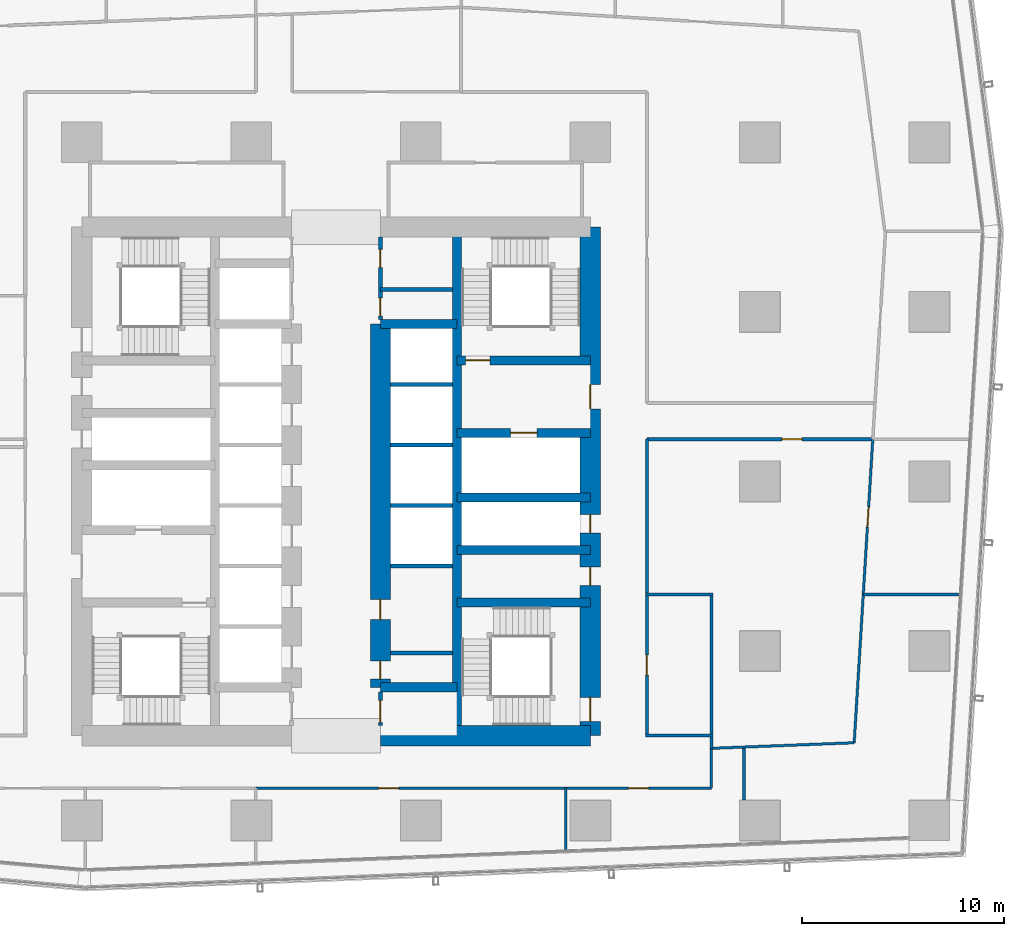
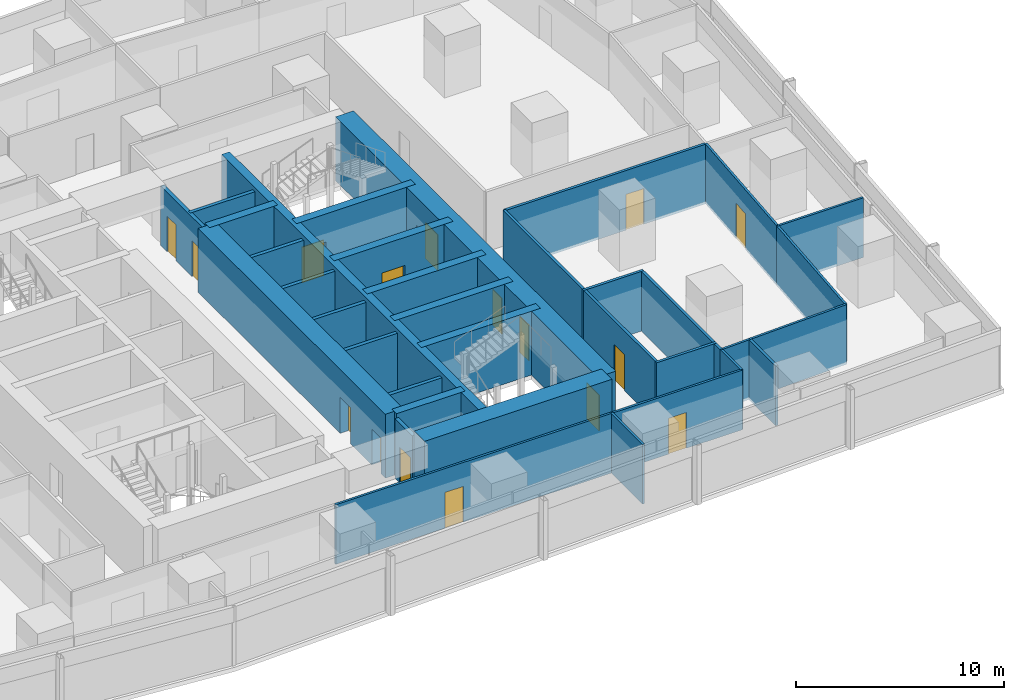
# One storey, part 30 of 39: 36 walls, 16 doors, 16 openings.
"""IFC4 building model written with IfcOpenShell, lengths in metres."""

from ifc_helpers import new_model, si_unit, direction, frame, frame_2d, origin, place, context, subcontext, project, spatial, rectangle, extrude, material, layer, layer_set, type_object, element, fill, save


model = new_model("IFC4")

# Units and contexts
model_context = context("Model", 3, precision=1e-05, world=origin(), true_north=direction((0.0, 1.0)))
body_context = subcontext(model_context, "Body", "Model", "MODEL_VIEW")
ifc_project = project(units=[si_unit("LENGTHUNIT", "METRE"), si_unit("AREAUNIT", "SQUARE_METRE"), si_unit("VOLUMEUNIT", "CUBIC_METRE"), si_unit("PLANEANGLEUNIT", "RADIAN"), si_unit("MASSUNIT", "GRAM", prefix="KILO")], contexts=[model_context])

# Site, building, storey
site_placement = place(None, origin())
site = spatial("IfcSite", under=ifc_project, at=site_placement, CompositionType="ELEMENT")
building_placement = place(site_placement, origin())
building = spatial("IfcBuilding", under=site, at=building_placement, Name="Rekha Terrace Tower", CompositionType="ELEMENT")
storey_placement = place(building_placement, frame((0.0, 0.0, 151.550048828125)))
storey = spatial("IfcBuildingStorey", under=building, at=storey_placement, Name="L38", CompositionType="ELEMENT", Elevation=151.550048828125)

# Walls
ifc_material_1 = material(Name="Concrete M70", Category="concrete")
ifc_layer_1 = layer(ifc_material_1, 0.449951171875)
ifc_layer_set_1 = layer_set([ifc_layer_1], Name="Concrete M70")
wall_type_1 = type_object("IfcWallType", Name="CI2 450 core internal shear wall", PredefinedType="SHEAR", material=ifc_layer_set_1)
wall_1_placement = place(storey_placement, frame((43.800048828125, 21.0, 0.0), z_axis=(0.0, 0.0, 1.0), x_axis=(0.0, 1.0, 0.0)))
element("IfcWall", 1, at=wall_1_placement, inside=storey, type_object=wall_type_1, Name="Core wall X438 L38", PredefinedType="SHEAR", context=body_context, shape_type="SweptSolid", body=[
    extrude(rectangle(XDim=25.199951171875, YDim=0.449951171875, at=frame_2d((12.60009765625, 0.0))), origin(), (0.0, 0.0, 1.0), 3.75),
])
for number, where, z_axis, x_axis, name in (
    (2, (40.0, 23.39990234375, 0.0), (0.0, 0.0, 1.0), (1.0, 0.0, 0.0), "Core wall Y234E L38"),
    (3, (40.0, 41.39990234375, 0.0), (0.0, 0.0, 1.0), (1.0, 0.0, 0.0), "Core wall Y414E L38"),
):
    element("IfcWall", number, at=place(storey_placement, frame(where, z_axis=z_axis, x_axis=x_axis)), inside=storey, type_object=wall_type_1, Name=name, PredefinedType="SHEAR", context=body_context, shape_type="SweptSolid", body=[
        extrude(rectangle(XDim=3.800048828125, YDim=0.449951171875, at=frame_2d((1.89990234375, 0.0))), origin(), (0.0, 0.0, 1.0), 3.75),
    ])
for number, where, z_axis, x_axis, name in (
    (4, (43.800048828125, 27.60009765625, 0.0), (0.0, 0.0, 1.0), (1.0, 0.0, 0.0), "Core wall Y276E L38"),
    (5, (43.800048828125, 30.199951171875, 0.0), (0.0, 0.0, 1.0), (1.0, 0.0, 0.0), "Core wall Y302E L38"),
    (6, (43.800048828125, 32.800048828125, 0.0), (0.0, 0.0, 1.0), (1.0, 0.0, 0.0), "Core wall Y328E L38"),
):
    element("IfcWall", number, at=place(storey_placement, frame(where, z_axis=z_axis, x_axis=x_axis)), inside=storey, type_object=wall_type_1, Name=name, PredefinedType="SHEAR", context=body_context, shape_type="SweptSolid", body=[
        extrude(rectangle(XDim=6.599853515625, YDim=0.449951171875, at=frame_2d((3.2998046875, 0.0))), origin(), (0.0, 0.0, 1.0), 3.75),
    ])

# Wall, opening, door
wall_2_placement = place(storey_placement, frame((43.800048828125, 36.0, 0.0), z_axis=(0.0, 0.0, 1.0), x_axis=(1.0, 0.0, 0.0)))
wall_2 = element("IfcWall", 7, at=wall_2_placement, inside=storey, type_object=wall_type_1, Name="Core wall Y360E L38", PredefinedType="SHEAR", context=body_context, shape_type="SweptSolid", body=[
    extrude(rectangle(XDim=6.599853515625, YDim=0.449951171875, at=frame_2d((3.2998046875, 0.0))), origin(), (0.0, 0.0, 1.0), 3.75),
])
opening_1_placement = place(wall_2_placement, frame((2.64990234375, 0.0, 0.0)))
opening_1 = element("IfcOpeningElement", 8, at=opening_1_placement, cuts=wall_2, Name="Opening LD2", PredefinedType="OPENING", context=body_context, shape_type="SweptSolid", body=[
    extrude(rectangle(XDim=1.300048828125, YDim=2.10009765625, at=frame_2d((0.64990234375, 1.050048828125))), frame((0.0, 0.23486328125, 0.0), z_axis=(0.0, -1.0, 0.0), x_axis=(1.0, 0.0, 0.0)), (0.0, 0.0, 1.0), 0.469970703125),
])
ifc_material_2 = material(Name="Stainless steel sliding landing door", Category="steel")
door_type_1 = type_object("IfcDoorType", Name="LD2 1300x2100 fire lift landing door", OperationType="SLIDING_TO_LEFT", PredefinedType="USERDEFINED", material=ifc_material_2)
door_1_placement = place(opening_1_placement, origin())
door_1 = element("IfcDoor", 9, at=door_1_placement, inside=storey, type_object=door_type_1, Name="Lift FL2 landing door L38", ObjectType="LIFT LANDING DOOR", OperationType="SLIDING_TO_LEFT", OverallHeight=2.10009765625, OverallWidth=1.300048828125, PredefinedType="USERDEFINED", context=body_context, shape_type="SweptSolid", body=[
    extrude(rectangle(XDim=1.300048828125, YDim=2.10009765625, at=frame_2d((0.64990234375, 1.050048828125))), frame((0.0, 0.02490234375, 0.0), z_axis=(0.0, -1.0, 0.0), x_axis=(1.0, 0.0, 0.0)), (0.0, 0.0, 1.0), 0.050048828125),
])
fill(opening_1, door_1)

wall_3_placement = place(storey_placement, frame((43.800048828125, 39.60009765625, 0.0), z_axis=(0.0, 0.0, 1.0), x_axis=(1.0, 0.0, 0.0)))
wall_3 = element("IfcWall", 10, at=wall_3_placement, inside=storey, type_object=wall_type_1, Name="Core wall Y396E L38", PredefinedType="SHEAR", context=body_context, shape_type="SweptSolid", body=[
    extrude(rectangle(XDim=6.599853515625, YDim=0.449951171875, at=frame_2d((3.2998046875, 0.0))), origin(), (0.0, 0.0, 1.0), 3.75),
])
opening_2_placement = place(wall_3_placement, frame((0.425048828125, 0.0, 0.0)))
opening_2 = element("IfcOpeningElement", 11, at=opening_2_placement, cuts=wall_3, Name="Opening D1", PredefinedType="OPENING", context=body_context, shape_type="SweptSolid", body=[
    extrude(rectangle(XDim=1.199951171875, YDim=2.10009765625, at=frame_2d((0.60009765625, 1.050048828125))), frame((0.0, 0.23486328125, 0.0), z_axis=(0.0, -1.0, 0.0), x_axis=(1.0, 0.0, 0.0)), (0.0, 0.0, 1.0), 0.469970703125),
])
ifc_material_3 = material(Name="Steel fire door", Category="steel")
door_type_2 = type_object("IfcDoorType", Name="D1 1200x2100 stair fire door", OperationType="SINGLE_SWING_RIGHT", PredefinedType="DOOR", material=ifc_material_3)
door_2_placement = place(opening_2_placement, origin())
door_2 = element("IfcDoor", 12, at=door_2_placement, inside=storey, type_object=door_type_2, Name="Stair ST2 door L38", OperationType="SINGLE_SWING_RIGHT", OverallHeight=2.10009765625, OverallWidth=1.199951171875, PredefinedType="DOOR", context=body_context, shape_type="SweptSolid", body=[
    extrude(rectangle(XDim=1.199951171875, YDim=2.10009765625, at=frame_2d((0.60009765625, 1.050048828125))), frame((0.0, 0.02490234375, 0.0), z_axis=(0.0, -1.0, 0.0), x_axis=(1.0, 0.0, 0.0)), (0.0, 0.0, 1.0), 0.050048828125),
])
fill(opening_2, door_2)

# Wall, openings, doors
ifc_layer_2 = layer(ifc_material_1, 1.0)
ifc_layer_set_2 = layer_set([ifc_layer_2], Name="Concrete M70")
wall_type_2 = type_object("IfcWallType", Name="LW2 1000 core lobby wall at an outrigger level", PredefinedType="SHEAR", material=ifc_layer_set_2)
wall_4_placement = place(storey_placement, frame((40.0, 23.39990234375, 0.0), z_axis=(0.0, 0.0, 1.0), x_axis=(0.0, 1.0, 0.0)))
wall_4 = element("IfcWall", 13, at=wall_4_placement, inside=storey, type_object=wall_type_2, Name="Core wall X400 L38", PredefinedType="SHEAR", context=body_context, shape_type="SweptSolid", body=[
    extrude(rectangle(XDim=18.0, YDim=1.0, at=frame_2d((9.0, 0.0))), origin(), (0.0, 0.0, 1.0), 3.75),
])
opening_3_placement = place(wall_4_placement, frame((0.39990234375, 0.0, 0.0)))
opening_3 = element("IfcOpeningElement", 14, at=opening_3_placement, cuts=wall_4, Name="Opening D5", PredefinedType="OPENING", context=body_context, shape_type="SweptSolid", body=[
    extrude(rectangle(XDim=0.89990234375, YDim=2.10009765625, at=frame_2d((0.449951171875, 1.050048828125))), frame((0.0, 0.510009765625, 0.0), z_axis=(0.0, -1.0, 0.0), x_axis=(1.0, 0.0, 0.0)), (0.0, 0.0, 1.0), 1.02001953125),
])
opening_4_placement = place(wall_4_placement, frame((3.35009765625, 0.0, 0.0)))
opening_4 = element("IfcOpeningElement", 15, at=opening_4_placement, cuts=wall_4, Name="Opening D9", PredefinedType="OPENING", context=body_context, shape_type="SweptSolid", body=[
    extrude(rectangle(XDim=1.0, YDim=2.10009765625, at=frame_2d((0.5, 1.050048828125))), frame((0.0, 0.510009765625, 0.0), z_axis=(0.0, -1.0, 0.0), x_axis=(1.0, 0.0, 0.0)), (0.0, 0.0, 1.0), 1.02001953125),
])
door_type_3 = type_object("IfcDoorType", Name="D5 900x2100 riser access door", OperationType="SINGLE_SWING_LEFT", PredefinedType="DOOR", material=ifc_material_3)
door_3_placement = place(opening_3_placement, origin())
door_3 = element("IfcDoor", 16, at=door_3_placement, inside=storey, type_object=door_type_3, Name="Door records store L38", OperationType="SINGLE_SWING_LEFT", OverallHeight=2.10009765625, OverallWidth=0.89990234375, PredefinedType="DOOR", context=body_context, shape_type="SweptSolid", body=[
    extrude(rectangle(XDim=0.89990234375, YDim=2.10009765625, at=frame_2d((0.449951171875, 1.050048828125))), frame((0.0, 0.02490234375, 0.0), z_axis=(0.0, -1.0, 0.0), x_axis=(1.0, 0.0, 0.0)), (0.0, 0.0, 1.0), 0.050048828125),
])
fill(opening_3, door_3)
ifc_material_4 = material(Name="Timber fire door", Category="wood")
door_type_4 = type_object("IfcDoorType", Name="D9 1000x2100 office door", OperationType="SINGLE_SWING_LEFT", PredefinedType="DOOR", material=ifc_material_4)
door_4_placement = place(opening_4_placement, origin())
door_4 = element("IfcDoor", 17, at=door_4_placement, inside=storey, type_object=door_type_4, Name="Door pantry and vending room L38", OperationType="SINGLE_SWING_LEFT", OverallHeight=2.10009765625, OverallWidth=1.0, PredefinedType="DOOR", context=body_context, shape_type="SweptSolid", body=[
    extrude(rectangle(XDim=1.0, YDim=2.10009765625, at=frame_2d((0.5, 1.050048828125))), frame((0.0, 0.02490234375, 0.0), z_axis=(0.0, -1.0, 0.0), x_axis=(1.0, 0.0, 0.0)), (0.0, 0.0, 1.0), 0.050048828125),
])
fill(opening_4, door_4)

# Wall
ifc_layer_3 = layer(ifc_material_1, 1.0)
ifc_layer_set_3 = layer_set([ifc_layer_3], Name="Concrete M70")
wall_type_3 = type_object("IfcWallType", Name="SW2 1000 core outer shear wall", PredefinedType="SHEAR", material=ifc_layer_set_3)
wall_5_placement = place(storey_placement, frame((40.0, 21.0, 0.0), z_axis=(0.0, 0.0, 1.0), x_axis=(1.0, 0.0, 0.0)))
element("IfcWall", 18, at=wall_5_placement, inside=storey, type_object=wall_type_3, Name="Core wall S2 L38", PredefinedType="SHEAR", context=body_context, shape_type="SweptSolid", body=[
    extrude(rectangle(XDim=10.39990234375, YDim=1.0, at=frame_2d((5.199951171875, 0.0))), origin(), (0.0, 0.0, 1.0), 3.75),
])

# Wall, openings, doors
wall_6_placement = place(storey_placement, frame((50.39990234375, 21.0, 0.0), z_axis=(0.0, 0.0, 1.0), x_axis=(0.0, 1.0, 0.0)))
wall_6 = element("IfcWall", 19, at=wall_6_placement, inside=storey, type_object=wall_type_3, Name="Core wall E L38", PredefinedType="SHEAR", context=body_context, shape_type="SweptSolid", body=[
    extrude(rectangle(XDim=25.199951171875, YDim=1.0, at=frame_2d((12.60009765625, 0.0))), origin(), (0.0, 0.0, 1.0), 3.75),
])
opening_5_placement = place(wall_6_placement, frame((16.199951171875, 0.0, 0.0)))
opening_5 = element("IfcOpeningElement", 20, at=opening_5_placement, cuts=wall_6, Name="Opening D2", PredefinedType="OPENING", context=body_context, shape_type="SweptSolid", body=[
    extrude(rectangle(XDim=1.199951171875, YDim=2.10009765625, at=frame_2d((0.60009765625, 1.050048828125))), frame((0.0, 0.510009765625, 0.0), z_axis=(0.0, -1.0, 0.0), x_axis=(1.0, 0.0, 0.0)), (0.0, 0.0, 1.0), 1.02001953125),
])
opening_6_placement = place(wall_6_placement, frame((10.050048828125, 0.0, 0.0)))
opening_6 = element("IfcOpeningElement", 21, at=opening_6_placement, cuts=wall_6, Name="Opening D5", PredefinedType="OPENING", context=body_context, shape_type="SweptSolid", body=[
    extrude(rectangle(XDim=0.89990234375, YDim=2.10009765625, at=frame_2d((0.449951171875, 1.050048828125))), frame((0.0, 0.510009765625, 0.0), z_axis=(0.0, -1.0, 0.0), x_axis=(1.0, 0.0, 0.0)), (0.0, 0.0, 1.0), 1.02001953125),
])
opening_7_placement = place(wall_6_placement, frame((7.449951171875, 0.0, 0.0)))
opening_7 = element("IfcOpeningElement", 22, at=opening_7_placement, cuts=wall_6, Name="Opening D5", PredefinedType="OPENING", context=body_context, shape_type="SweptSolid", body=[
    extrude(rectangle(XDim=0.89990234375, YDim=2.10009765625, at=frame_2d((0.449951171875, 1.050048828125))), frame((0.0, 0.510009765625, 0.0), z_axis=(0.0, -1.0, 0.0), x_axis=(1.0, 0.0, 0.0)), (0.0, 0.0, 1.0), 1.02001953125),
])
opening_8_placement = place(wall_6_placement, frame((0.699951171875, 0.0, 0.0)))
opening_8 = element("IfcOpeningElement", 23, at=opening_8_placement, cuts=wall_6, Name="Opening D1", PredefinedType="OPENING", context=body_context, shape_type="SweptSolid", body=[
    extrude(rectangle(XDim=1.199951171875, YDim=2.10009765625, at=frame_2d((0.60009765625, 1.050048828125))), frame((0.0, 0.510009765625, 0.0), z_axis=(0.0, -1.0, 0.0), x_axis=(1.0, 0.0, 0.0)), (0.0, 0.0, 1.0), 1.02001953125),
])
door_5_placement = place(opening_8_placement, origin())
door_5 = element("IfcDoor", 24, at=door_5_placement, inside=storey, type_object=door_type_2, Name="Stair ST3 door L38", OperationType="SINGLE_SWING_RIGHT", OverallHeight=2.10009765625, OverallWidth=1.199951171875, PredefinedType="DOOR", context=body_context, shape_type="SweptSolid", body=[
    extrude(rectangle(XDim=1.199951171875, YDim=2.10009765625, at=frame_2d((0.60009765625, 1.050048828125))), frame((0.0, 0.02490234375, 0.0), z_axis=(0.0, -1.0, 0.0), x_axis=(1.0, 0.0, 0.0)), (0.0, 0.0, 1.0), 0.050048828125),
])
fill(opening_8, door_5)
door_type_5 = type_object("IfcDoorType", Name="D2 1200x2100 firefighting lobby door", OperationType="SINGLE_SWING_LEFT", PredefinedType="DOOR", material=ifc_material_3)
door_6_placement = place(opening_5_placement, origin())
door_6 = element("IfcDoor", 25, at=door_6_placement, inside=storey, type_object=door_type_5, Name="Door flb2 L38", OperationType="SINGLE_SWING_LEFT", OverallHeight=2.10009765625, OverallWidth=1.199951171875, PredefinedType="DOOR", context=body_context, shape_type="SweptSolid", body=[
    extrude(rectangle(XDim=1.199951171875, YDim=2.10009765625, at=frame_2d((0.60009765625, 1.050048828125))), frame((0.0, 0.02490234375, 0.0), z_axis=(0.0, -1.0, 0.0), x_axis=(1.0, 0.0, 0.0)), (0.0, 0.0, 1.0), 0.050048828125),
])
fill(opening_5, door_6)
door_7_placement = place(opening_6_placement, origin())
door_7 = element("IfcDoor", 26, at=door_7_placement, inside=storey, type_object=door_type_3, Name="Door rs2 L38", OperationType="SINGLE_SWING_LEFT", OverallHeight=2.10009765625, OverallWidth=0.89990234375, PredefinedType="DOOR", context=body_context, shape_type="SweptSolid", body=[
    extrude(rectangle(XDim=0.89990234375, YDim=2.10009765625, at=frame_2d((0.449951171875, 1.050048828125))), frame((0.0, 0.02490234375, 0.0), z_axis=(0.0, -1.0, 0.0), x_axis=(1.0, 0.0, 0.0)), (0.0, 0.0, 1.0), 0.050048828125),
])
fill(opening_6, door_7)
door_8_placement = place(opening_7_placement, origin())
door_8 = element("IfcDoor", 27, at=door_8_placement, inside=storey, type_object=door_type_3, Name="Door ele L38", OperationType="SINGLE_SWING_LEFT", OverallHeight=2.10009765625, OverallWidth=0.89990234375, PredefinedType="DOOR", context=body_context, shape_type="SweptSolid", body=[
    extrude(rectangle(XDim=0.89990234375, YDim=2.10009765625, at=frame_2d((0.449951171875, 1.050048828125))), frame((0.0, 0.02490234375, 0.0), z_axis=(0.0, -1.0, 0.0), x_axis=(1.0, 0.0, 0.0)), (0.0, 0.0, 1.0), 0.050048828125),
])
fill(opening_7, door_8)

# Walls
ifc_material_5 = material(Name="Concrete block masonry, 1 hour", Category="masonry")
ifc_layer_4 = layer(ifc_material_5, 0.14990234375)
ifc_layer_set_4 = layer_set([ifc_layer_4], Name="Concrete block masonry, 1 hour")
wall_type_4 = type_object("IfcWallType", Name="WP2 150 tenancy partition", PredefinedType="PARTITIONING", material=ifc_layer_set_4)
for number, where, z_axis, x_axis, name in (
    (28, (53.125, 21.0, 0.0), (0.0, 0.0, 1.0), (1.0, 0.0, 0.0), "Men's WC wall L38"),
    (29, (53.125, 28.0, 0.0), (0.0, 0.0, 1.0), (1.0, 0.0, 0.0), "Men's WC wall L38"),
):
    element("IfcWall", number, at=place(storey_placement, frame(where, z_axis=z_axis, x_axis=x_axis)), inside=storey, type_object=wall_type_4, Name=name, PredefinedType="PARTITIONING", context=body_context, shape_type="SweptSolid", body=[
        extrude(rectangle(XDim=3.35009765625, YDim=0.14990234375, at=frame_2d((1.675048828125, 0.0))), origin(), (0.0, 0.0, 1.0), 3.5),
    ])

# Wall, opening, door
wall_7_placement = place(storey_placement, frame((53.199951171875, 21.074951171875, 0.0), z_axis=(0.0, 0.0, 1.0), x_axis=(0.0, 1.0, 0.0)))
wall_7 = element("IfcWall", 30, at=wall_7_placement, inside=storey, type_object=wall_type_4, Name="Men's WC wall L38", PredefinedType="PARTITIONING", context=body_context, shape_type="SweptSolid", body=[
    extrude(rectangle(XDim=6.85009765625, YDim=0.14990234375, at=frame_2d((3.425048828125, 0.0))), origin(), (0.0, 0.0, 1.0), 3.5),
])
opening_9_placement = place(wall_7_placement, frame((2.925048828125, 0.0, 0.0)))
opening_9 = element("IfcOpeningElement", 31, at=opening_9_placement, cuts=wall_7, Name="Opening D3", PredefinedType="OPENING", context=body_context, shape_type="SweptSolid", body=[
    extrude(rectangle(XDim=1.0, YDim=2.10009765625, at=frame_2d((0.5, 1.050048828125))), frame((0.0, 0.0849609375, 0.0), z_axis=(0.0, -1.0, 0.0), x_axis=(1.0, 0.0, 0.0)), (0.0, 0.0, 1.0), 0.169921875),
])
ifc_material_6 = material(Name="Laminated timber fire door", Category="wood")
door_type_6 = type_object("IfcDoorType", Name="D3 1000x2100 WC door", OperationType="SINGLE_SWING_LEFT", PredefinedType="DOOR", material=ifc_material_6)
door_9_placement = place(opening_9_placement, origin())
door_9 = element("IfcDoor", 32, at=door_9_placement, inside=storey, type_object=door_type_6, Name="Door men's wc L38", OperationType="SINGLE_SWING_LEFT", OverallHeight=2.10009765625, OverallWidth=1.0, PredefinedType="DOOR", context=body_context, shape_type="SweptSolid", body=[
    extrude(rectangle(XDim=1.0, YDim=2.10009765625, at=frame_2d((0.5, 1.050048828125))), frame((0.0, 0.02490234375, 0.0), z_axis=(0.0, -1.0, 0.0), x_axis=(1.0, 0.0, 0.0)), (0.0, 0.0, 1.0), 0.050048828125),
])
fill(opening_9, door_9)

# Walls
wall_8_placement = place(storey_placement, frame((56.39990234375, 21.074951171875, 0.0), z_axis=(0.0, 0.0, 1.0), x_axis=(0.0, 1.0, 0.0)))
element("IfcWall", 33, at=wall_8_placement, inside=storey, type_object=wall_type_4, Name="Men's WC wall L38", PredefinedType="PARTITIONING", context=body_context, shape_type="SweptSolid", body=[
    extrude(rectangle(XDim=6.85009765625, YDim=0.14990234375, at=frame_2d((3.425048828125, 0.0))), origin(), (0.0, 0.0, 1.0), 3.5),
])
wall_9_placement = place(storey_placement, frame((58.010986328125, 20.3740234375, 0.0), z_axis=(0.0, 0.0, 1.0), x_axis=(0.0, -1.0, 0.0)))
element("IfcWall", 34, at=wall_9_placement, inside=storey, type_object=wall_type_4, Name="Partition L38-O1b", PredefinedType="PARTITIONING", context=body_context, shape_type="SweptSolid", body=[
    extrude(rectangle(XDim=2.553955078125, YDim=0.14990234375, at=frame_2d((1.27685546875, 0.0))), origin(), (0.0, 0.0, 1.0), 3.5),
])
wall_10_placement = place(storey_placement, frame((56.39990234375, 20.3740234375, 0.0), z_axis=(0.0, 0.0, 1.0), x_axis=(0.0, 1.0, 0.0)))
element("IfcWall", 35, at=wall_10_placement, inside=storey, type_object=wall_type_4, Name="Partition L38-O1b", PredefinedType="PARTITIONING", context=body_context, shape_type="SweptSolid", body=[
    extrude(rectangle(XDim=0.551025390625, YDim=0.14990234375, at=frame_2d((0.275390625, 0.0))), origin(), (0.0, 0.0, 1.0), 3.5),
])
wall_11_placement = place(storey_placement, frame((53.199951171875, 28.074951171875, 0.0), z_axis=(0.0, 0.0, 1.0), x_axis=(0.0, 1.0, 0.0)))
element("IfcWall", 36, at=wall_11_placement, inside=storey, type_object=wall_type_4, Name="Partition L38-O1b", PredefinedType="PARTITIONING", context=body_context, shape_type="SweptSolid", body=[
    extrude(rectangle(XDim=7.614990234375, YDim=0.14990234375, at=frame_2d((3.8076171875, 0.0))), origin(), (0.0, 0.0, 1.0), 3.5),
])

# Wall, opening, door
wall_12_placement = place(storey_placement, frame((53.199951171875, 35.68994140625, 0.0), z_axis=(0.0, 0.0, 1.0), x_axis=(1.0, 0.0, 0.0)))
wall_12 = element("IfcWall", 37, at=wall_12_placement, inside=storey, type_object=wall_type_4, Name="Partition L38-O1b", PredefinedType="PARTITIONING", context=body_context, shape_type="SweptSolid", body=[
    extrude(rectangle(XDim=11.14794921875, YDim=0.14990234375, at=frame_2d((5.573974609375, 0.0))), origin(), (0.0, 0.0, 1.0), 3.5),
])
opening_10_placement = place(wall_12_placement, frame((6.698974609375, 0.0, 0.0)))
opening_10 = element("IfcOpeningElement", 38, at=opening_10_placement, cuts=wall_12, Name="Opening D9", PredefinedType="OPENING", context=body_context, shape_type="SweptSolid", body=[
    extrude(rectangle(XDim=1.0, YDim=2.10009765625, at=frame_2d((0.5, 1.050048828125))), frame((0.0, 0.0849609375, 0.0), z_axis=(0.0, -1.0, 0.0), x_axis=(1.0, 0.0, 0.0)), (0.0, 0.0, 1.0), 0.169921875),
])
door_10_placement = place(opening_10_placement, origin())
door_10 = element("IfcDoor", 39, at=door_10_placement, inside=storey, type_object=door_type_4, Name="Door open-plan office L38", OperationType="SINGLE_SWING_LEFT", OverallHeight=2.10009765625, OverallWidth=1.0, PredefinedType="DOOR", context=body_context, shape_type="SweptSolid", body=[
    extrude(rectangle(XDim=1.0, YDim=2.10009765625, at=frame_2d((0.5, 1.050048828125))), frame((0.0, 0.02490234375, 0.0), z_axis=(0.0, -1.0, 0.0), x_axis=(1.0, 0.0, 0.0)), (0.0, 0.0, 1.0), 0.050048828125),
])
fill(opening_10, door_10)

# Walls
ifc_material_7 = material(Name="Two layers of fire-rated gypsum board each side on steel studs, acoustic quilt, 1 hour", Category="steel")
ifc_layer_5 = layer(ifc_material_7, 0.125)
ifc_layer_set_5 = layer_set([ifc_layer_5], Name="Two layers of fire-rated gypsum board each side on steel studs, acoustic quilt, 1 hour")
wall_type_5 = type_object("IfcWallType", Name="WP3 125 office partition", PredefinedType="PARTITIONING", material=ifc_layer_set_5)
wall_13_placement = place(storey_placement, frame((56.39990234375, 20.3740234375, 0.0), z_axis=(0.0, 0.0, 1.0), x_axis=(0.999237517487, 0.039043355976, 0.0)))
element("IfcWall", 40, at=wall_13_placement, inside=storey, type_object=wall_type_5, Name="Partition L38-02", PredefinedType="PARTITIONING", context=body_context, shape_type="SweptSolid", body=[
    extrude(rectangle(XDim=1.61328125, YDim=0.125, at=frame_2d((0.806640625, 0.0))), origin(), (0.0, 0.0, 1.0), 3.5),
])
wall_14_placement = place(storey_placement, frame((58.011962890625, 20.43701171875, 0.0), z_axis=(0.0, 0.0, 1.0), x_axis=(0.999241859152, 0.038932080836, 0.0)))
element("IfcWall", 41, at=wall_14_placement, inside=storey, type_object=wall_type_5, Name="Partition L38-02", PredefinedType="PARTITIONING", context=body_context, shape_type="SweptSolid", body=[
    extrude(rectangle(XDim=5.46826171875, YDim=0.125, at=frame_2d((2.734130859375, 0.0))), origin(), (0.0, 0.0, 1.0), 3.5),
])
wall_15_placement = place(storey_placement, frame((63.47607421875, 20.64990234375, 0.0), z_axis=(0.0, 0.0, 1.0), x_axis=(0.061126922055, 0.998130001252, 0.0)))
element("IfcWall", 42, at=wall_15_placement, inside=storey, type_object=wall_type_5, Name="Partition L38-02", PredefinedType="PARTITIONING", context=body_context, shape_type="SweptSolid", body=[
    extrude(rectangle(XDim=7.36083984375, YDim=0.125, at=frame_2d((3.680419921875, 0.0))), origin(), (0.0, 0.0, 1.0), 3.5),
])
wall_16_placement = place(storey_placement, frame((63.926025390625, 27.9970703125, 0.0), z_axis=(0.0, 0.0, 1.0), x_axis=(1.0, 0.0, 0.0)))
element("IfcWall", 43, at=wall_16_placement, inside=storey, type_object=wall_type_5, Name="Partition L38-02", PredefinedType="PARTITIONING", context=body_context, shape_type="SweptSolid", body=[
    extrude(rectangle(XDim=4.72900390625, YDim=0.125, at=frame_2d((2.364501953125, 0.0))), origin(), (0.0, 0.0, 1.0), 3.5),
])
wall_17_placement = place(storey_placement, frame((49.179931640625, 15.339111328125, 0.0), z_axis=(0.0, 0.0, 1.0), x_axis=(0.0, 1.0, 0.0)))
element("IfcWall", 44, at=wall_17_placement, inside=storey, type_object=wall_type_5, Name="Partition L38-02", PredefinedType="PARTITIONING", context=body_context, shape_type="SweptSolid", body=[
    extrude(rectangle(XDim=3.060791015625, YDim=0.125, at=frame_2d((1.5302734375, 0.0))), origin(), (0.0, 0.0, 1.0), 3.5),
])

# Wall, opening, door
wall_18_placement = place(storey_placement, frame((49.179931640625, 18.39990234375, 0.0), z_axis=(0.0, 0.0, 1.0), x_axis=(1.0, 0.0, 0.0)))
wall_18 = element("IfcWall", 45, at=wall_18_placement, inside=storey, type_object=wall_type_5, Name="Partition L38-02", PredefinedType="PARTITIONING", context=body_context, shape_type="SweptSolid", body=[
    extrude(rectangle(XDim=7.219970703125, YDim=0.125, at=frame_2d((3.60986328125, 0.0))), origin(), (0.0, 0.0, 1.0), 3.5),
])
opening_11_placement = place(wall_18_placement, frame((3.110107421875, 0.0, 0.0)))
opening_11 = element("IfcOpeningElement", 46, at=opening_11_placement, cuts=wall_18, Name="Opening D9", PredefinedType="OPENING", context=body_context, shape_type="SweptSolid", body=[
    extrude(rectangle(XDim=1.0, YDim=2.10009765625, at=frame_2d((0.5, 1.050048828125))), frame((0.0, 0.072509765625, 0.0), z_axis=(0.0, -1.0, 0.0), x_axis=(1.0, 0.0, 0.0)), (0.0, 0.0, 1.0), 0.14501953125),
])
door_11_placement = place(opening_11_placement, origin())
door_11 = element("IfcDoor", 47, at=door_11_placement, inside=storey, type_object=door_type_4, Name="Door director's office L38", OperationType="SINGLE_SWING_LEFT", OverallHeight=2.10009765625, OverallWidth=1.0, PredefinedType="DOOR", context=body_context, shape_type="SweptSolid", body=[
    extrude(rectangle(XDim=1.0, YDim=2.10009765625, at=frame_2d((0.5, 1.050048828125))), frame((0.0, 0.02490234375, 0.0), z_axis=(0.0, -1.0, 0.0), x_axis=(1.0, 0.0, 0.0)), (0.0, 0.0, 1.0), 0.050048828125),
])
fill(opening_11, door_11)

# Wall
wall_19_placement = place(storey_placement, frame((56.39990234375, 18.39990234375, 0.0), z_axis=(0.0, 0.0, 1.0), x_axis=(0.0, 1.0, 0.0)))
element("IfcWall", 48, at=wall_19_placement, inside=storey, type_object=wall_type_5, Name="Partition L38-02", PredefinedType="PARTITIONING", context=body_context, shape_type="SweptSolid", body=[
    extrude(rectangle(XDim=1.97412109375, YDim=0.125, at=frame_2d((0.987060546875, 0.0))), origin(), (0.0, 0.0, 1.0), 3.5),
])

# Wall, opening, door
wall_20_placement = place(storey_placement, frame((63.926025390625, 27.998046875, 0.0), z_axis=(0.0, 0.0, 1.0), x_axis=(0.061142930486, 0.998129020744, 0.0)))
wall_20 = element("IfcWall", 49, at=wall_20_placement, inside=storey, type_object=wall_type_5, Name="Partition L38-03", PredefinedType="PARTITIONING", context=body_context, shape_type="SweptSolid", body=[
    extrude(rectangle(XDim=7.702392578125, YDim=0.125, at=frame_2d((3.85107421875, 0.0))), origin(), (0.0, 0.0, 1.0), 3.5),
])
opening_12_placement = place(wall_20_placement, frame((3.35107421875, 0.0, 0.0)))
opening_12 = element("IfcOpeningElement", 50, at=opening_12_placement, cuts=wall_20, Name="Opening D9", PredefinedType="OPENING", context=body_context, shape_type="SweptSolid", body=[
    extrude(rectangle(XDim=1.0, YDim=2.10009765625, at=frame_2d((0.5, 1.050048828125))), frame((0.0, 0.072509765625, 0.0), z_axis=(0.0, -1.0, 0.0), x_axis=(1.0, 0.0, 0.0)), (0.0, 0.0, 1.0), 0.14501953125),
])
door_12_placement = place(opening_12_placement, origin())
door_12 = element("IfcDoor", 51, at=door_12_placement, inside=storey, type_object=door_type_4, Name="Door office L38", OperationType="SINGLE_SWING_LEFT", OverallHeight=2.10009765625, OverallWidth=1.0, PredefinedType="DOOR", context=body_context, shape_type="SweptSolid", body=[
    extrude(rectangle(XDim=1.0, YDim=2.10009765625, at=frame_2d((0.5, 1.050048828125))), frame((0.0, 0.02490234375, 0.0), z_axis=(0.0, -1.0, 0.0), x_axis=(1.0, 0.0, 0.0)), (0.0, 0.0, 1.0), 0.050048828125),
])
fill(opening_12, door_12)

wall_21_placement = place(storey_placement, frame((33.825927734375, 18.39990234375, 0.0), z_axis=(0.0, 0.0, 1.0), x_axis=(1.0, 0.0, 0.0)))
wall_21 = element("IfcWall", 52, at=wall_21_placement, inside=storey, type_object=wall_type_5, Name="Partition L38-11", PredefinedType="PARTITIONING", context=body_context, shape_type="SweptSolid", body=[
    extrude(rectangle(XDim=15.35302734375, YDim=0.125, at=frame_2d((7.676513671875, 0.0))), origin(), (0.0, 0.0, 1.0), 3.5),
])
opening_13_placement = place(wall_21_placement, frame((6.076904296875, 0.0, 0.0)))
opening_13 = element("IfcOpeningElement", 53, at=opening_13_placement, cuts=wall_21, Name="Opening D9", PredefinedType="OPENING", context=body_context, shape_type="SweptSolid", body=[
    extrude(rectangle(XDim=1.0, YDim=2.10009765625, at=frame_2d((0.5, 1.050048828125))), frame((0.0, 0.072509765625, 0.0), z_axis=(0.0, -1.0, 0.0), x_axis=(1.0, 0.0, 0.0)), (0.0, 0.0, 1.0), 0.14501953125),
])
door_13_placement = place(opening_13_placement, origin())
door_13 = element("IfcDoor", 54, at=door_13_placement, inside=storey, type_object=door_type_4, Name="Door office L38", OperationType="SINGLE_SWING_LEFT", OverallHeight=2.10009765625, OverallWidth=1.0, PredefinedType="DOOR", context=body_context, shape_type="SweptSolid", body=[
    extrude(rectangle(XDim=1.0, YDim=2.10009765625, at=frame_2d((0.5, 1.050048828125))), frame((0.0, 0.02490234375, 0.0), z_axis=(0.0, -1.0, 0.0), x_axis=(1.0, 0.0, 0.0)), (0.0, 0.0, 1.0), 0.050048828125),
])
fill(opening_13, door_13)

# Walls
ifc_material_8 = material(Name="Solid concrete block masonry, 2 hour", Category="masonry")
ifc_layer_6 = layer(ifc_material_8, 0.199951171875)
ifc_layer_set_6 = layer_set([ifc_layer_6], Name="Solid concrete block masonry, 2 hour")
wall_type_6 = type_object("IfcWallType", Name="WS1 200 stair and shaft enclosure", PredefinedType="PARTITIONING", material=ifc_layer_set_6)
for number, where, z_axis, x_axis, name in (
    (55, (40.5, 29.39990234375, 0.0), (0.0, 0.0, 1.0), (1.0, 0.0, 0.0), "Lift shaft divider L38"),
    (56, (40.5, 32.39990234375, 0.0), (0.0, 0.0, 1.0), (1.0, 0.0, 0.0), "Lift shaft divider L38"),
    (57, (40.5, 35.39990234375, 0.0), (0.0, 0.0, 1.0), (1.0, 0.0, 0.0), "Lift shaft divider L38"),
    (58, (40.5, 38.39990234375, 0.0), (0.0, 0.0, 1.0), (1.0, 0.0, 0.0), "Lift shaft divider L38"),
):
    element("IfcWall", number, at=place(storey_placement, frame(where, z_axis=z_axis, x_axis=x_axis)), inside=storey, type_object=wall_type_6, Name=name, PredefinedType="PARTITIONING", context=body_context, shape_type="SweptSolid", body=[
        extrude(rectangle(XDim=3.074951171875, YDim=0.199951171875, at=frame_2d((1.53759765625, 0.0))), origin(), (0.0, 0.0, 1.0), 3.5),
    ])

# Wall, opening, door
wall_22_placement = place(storey_placement, frame((40.0, 21.5, 0.0), z_axis=(0.0, 0.0, 1.0), x_axis=(0.0, 1.0, 0.0)))
wall_22 = element("IfcWall", 59, at=wall_22_placement, inside=storey, type_object=wall_type_6, Name="Core partition wca L38", PredefinedType="PARTITIONING", context=body_context, shape_type="SweptSolid", body=[
    extrude(rectangle(XDim=1.675048828125, YDim=0.199951171875, at=frame_2d((0.83740234375, 0.0))), origin(), (0.0, 0.0, 1.0), 3.5),
])
opening_14_placement = place(wall_22_placement, frame((0.14990234375, 0.0, 0.0)))
opening_14 = element("IfcOpeningElement", 60, at=opening_14_placement, cuts=wall_22, Name="Opening D4", PredefinedType="OPENING", context=body_context, shape_type="SweptSolid", body=[
    extrude(rectangle(XDim=1.10009765625, YDim=2.10009765625, at=frame_2d((0.550048828125, 1.050048828125))), frame((0.0, 0.10986328125, 0.0), z_axis=(0.0, -1.0, 0.0), x_axis=(1.0, 0.0, 0.0)), (0.0, 0.0, 1.0), 0.219970703125),
])
door_type_7 = type_object("IfcDoorType", Name="D4 1100x2100 accessible WC door", OperationType="SLIDING_TO_LEFT", PredefinedType="DOOR", material=ifc_material_6)
door_14_placement = place(opening_14_placement, origin())
door_14 = element("IfcDoor", 61, at=door_14_placement, inside=storey, type_object=door_type_7, Name="Door wca L38", OperationType="SLIDING_TO_LEFT", OverallHeight=2.10009765625, OverallWidth=1.10009765625, PredefinedType="DOOR", context=body_context, shape_type="SweptSolid", body=[
    extrude(rectangle(XDim=1.10009765625, YDim=2.10009765625, at=frame_2d((0.550048828125, 1.050048828125))), frame((0.0, 0.02490234375, 0.0), z_axis=(0.0, -1.0, 0.0), x_axis=(1.0, 0.0, 0.0)), (0.0, 0.0, 1.0), 0.050048828125),
])
fill(opening_14, door_14)

# Wall, openings, doors
wall_23_placement = place(storey_placement, frame((40.0, 41.625, 0.0), z_axis=(0.0, 0.0, 1.0), x_axis=(0.0, 1.0, 0.0)))
wall_23 = element("IfcWall", 62, at=wall_23_placement, inside=storey, type_object=wall_type_6, Name="Core partition elec L38", PredefinedType="PARTITIONING", context=body_context, shape_type="SweptSolid", body=[
    extrude(rectangle(XDim=4.074951171875, YDim=0.199951171875, at=frame_2d((2.03759765625, 0.0))), origin(), (0.0, 0.0, 1.0), 3.5),
])
opening_15_placement = place(wall_23_placement, frame((2.574951171875, 0.0, 0.0)))
opening_15 = element("IfcOpeningElement", 63, at=opening_15_placement, cuts=wall_23, Name="Opening D5", PredefinedType="OPENING", context=body_context, shape_type="SweptSolid", body=[
    extrude(rectangle(XDim=0.89990234375, YDim=2.10009765625, at=frame_2d((0.449951171875, 1.050048828125))), frame((0.0, 0.10986328125, 0.0), z_axis=(0.0, -1.0, 0.0), x_axis=(1.0, 0.0, 0.0)), (0.0, 0.0, 1.0), 0.219970703125),
])
opening_16_placement = place(wall_23_placement, frame((0.175048828125, 0.0, 0.0)))
opening_16 = element("IfcOpeningElement", 64, at=opening_16_placement, cuts=wall_23, Name="Opening D5", PredefinedType="OPENING", context=body_context, shape_type="SweptSolid", body=[
    extrude(rectangle(XDim=0.89990234375, YDim=2.10009765625, at=frame_2d((0.449951171875, 1.050048828125))), frame((0.0, 0.10986328125, 0.0), z_axis=(0.0, -1.0, 0.0), x_axis=(1.0, 0.0, 0.0)), (0.0, 0.0, 1.0), 0.219970703125),
])
door_15_placement = place(opening_15_placement, origin())
door_15 = element("IfcDoor", 65, at=door_15_placement, inside=storey, type_object=door_type_3, Name="Door electrical room L38", OperationType="SINGLE_SWING_LEFT", OverallHeight=2.10009765625, OverallWidth=0.89990234375, PredefinedType="DOOR", context=body_context, shape_type="SweptSolid", body=[
    extrude(rectangle(XDim=0.89990234375, YDim=2.10009765625, at=frame_2d((0.449951171875, 1.050048828125))), frame((0.0, 0.02490234375, 0.0), z_axis=(0.0, -1.0, 0.0), x_axis=(1.0, 0.0, 0.0)), (0.0, 0.0, 1.0), 0.050048828125),
])
fill(opening_15, door_15)
door_16_placement = place(opening_16_placement, origin())
door_16 = element("IfcDoor", 66, at=door_16_placement, inside=storey, type_object=door_type_3, Name="Door mother's room L38", OperationType="SINGLE_SWING_LEFT", OverallHeight=2.10009765625, OverallWidth=0.89990234375, PredefinedType="DOOR", context=body_context, shape_type="SweptSolid", body=[
    extrude(rectangle(XDim=0.89990234375, YDim=2.10009765625, at=frame_2d((0.449951171875, 1.050048828125))), frame((0.0, 0.02490234375, 0.0), z_axis=(0.0, -1.0, 0.0), x_axis=(1.0, 0.0, 0.0)), (0.0, 0.0, 1.0), 0.050048828125),
])
fill(opening_16, door_16)

# Walls
wall_24_placement = place(storey_placement, frame((40.5, 25.10009765625, 0.0), z_axis=(0.0, 0.0, 1.0), x_axis=(1.0, 0.0, 0.0)))
element("IfcWall", 67, at=wall_24_placement, inside=storey, type_object=wall_type_6, Name="Core partition freed shafts L38", PredefinedType="PARTITIONING", context=body_context, shape_type="SweptSolid", body=[
    extrude(rectangle(XDim=3.074951171875, YDim=0.199951171875, at=frame_2d((1.53759765625, 0.0))), origin(), (0.0, 0.0, 1.0), 3.5),
])
wall_25_placement = place(storey_placement, frame((40.0, 43.10009765625, 0.0), z_axis=(0.0, 0.0, 1.0), x_axis=(1.0, 0.0, 0.0)))
element("IfcWall", 68, at=wall_25_placement, inside=storey, type_object=wall_type_6, Name="Core partition elx L38", PredefinedType="PARTITIONING", context=body_context, shape_type="SweptSolid", body=[
    extrude(rectangle(XDim=3.574951171875, YDim=0.199951171875, at=frame_2d((1.78759765625, 0.0))), origin(), (0.0, 0.0, 1.0), 3.5),
])

save(model, "model.ifc")
